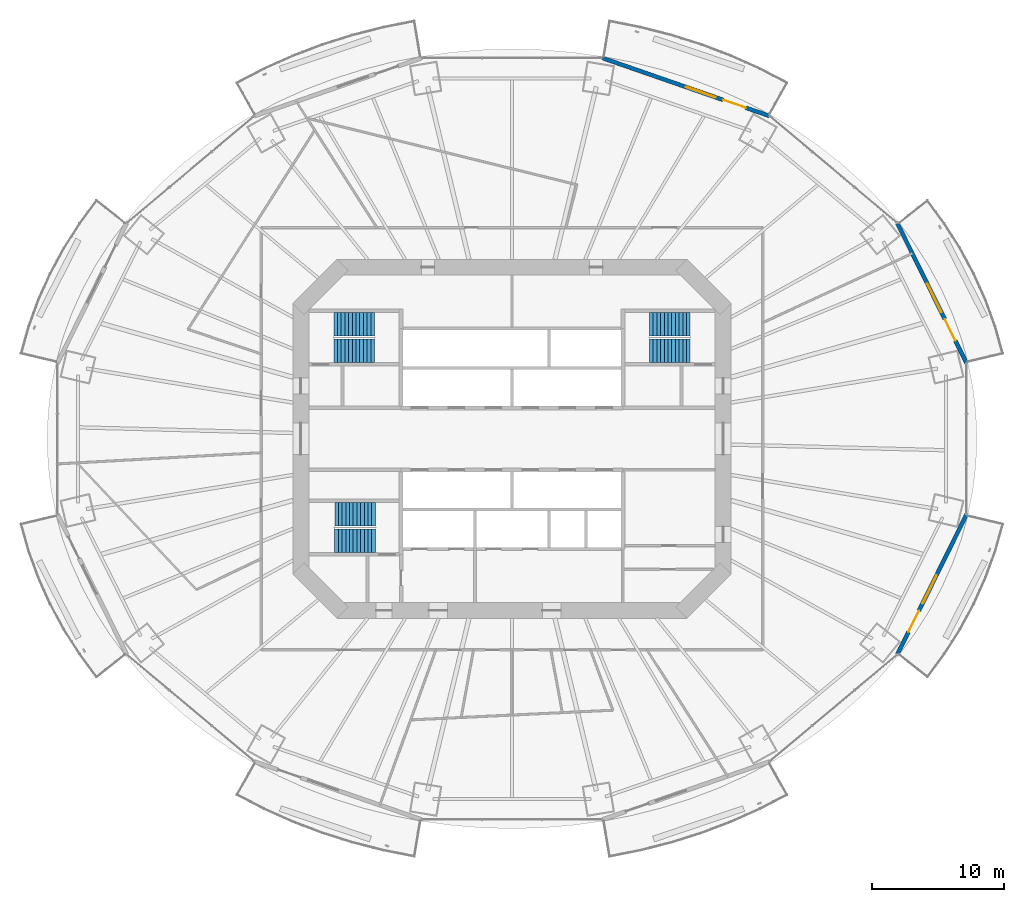
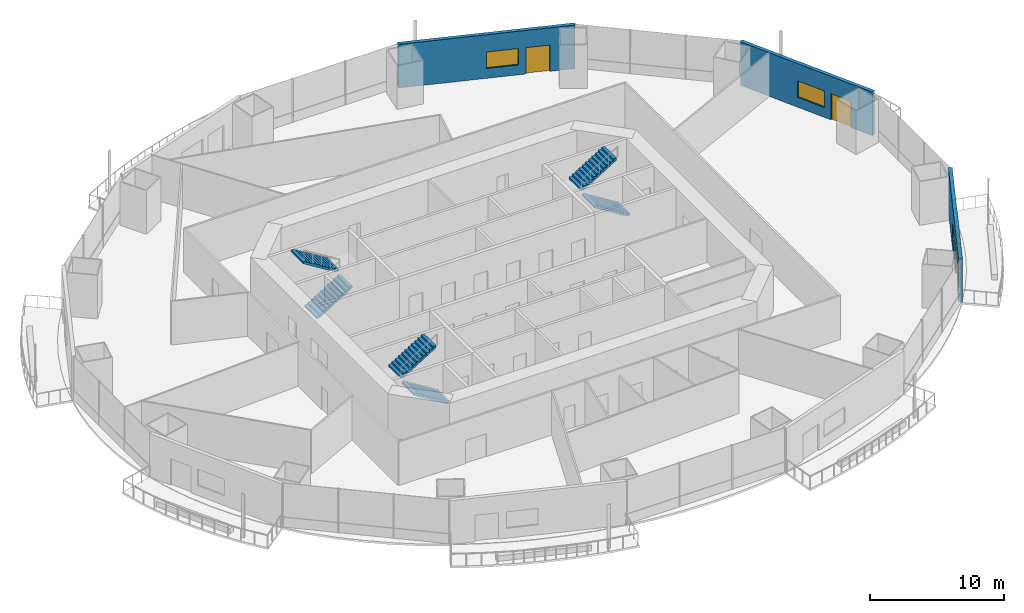
# One storey, part 16 of 22: 6 stair flights, 3 doors, 3 walls, 3 windows, 6 openings, 3 elements without a shape of their own.
"""IFC4 building model written with IfcOpenShell, lengths in metres."""

from ifc_helpers import new_model, si_unit, direction, frame, frame_2d, origin, place, context, subcontext, project, spatial, polyline, rectangle, outline, extrude, material, layer, layer_set, type_object, element, fill, aggregate, save


model = new_model("IFC4")

# Units and contexts
model_context = context("Model", 3, precision=1e-05, world=origin(), true_north=direction((0.0, 1.0)))
body_context = subcontext(model_context, "Body", "Model", "MODEL_VIEW")
ifc_project = project(units=[si_unit("LENGTHUNIT", "METRE"), si_unit("AREAUNIT", "SQUARE_METRE"), si_unit("VOLUMEUNIT", "CUBIC_METRE"), si_unit("PLANEANGLEUNIT", "RADIAN"), si_unit("MASSUNIT", "GRAM", prefix="KILO")], contexts=[model_context])

# Site, building, storey
site_placement = place(None, origin())
site = spatial("IfcSite", under=ifc_project, at=site_placement, CompositionType="ELEMENT")
building_placement = place(site_placement, origin())
building = spatial("IfcBuilding", under=site, at=building_placement, Name="Marenthal Gate Tower", CompositionType="ELEMENT")
storey_placement = place(building_placement, frame((0.0, 0.0, 91.10009765625)))
storey = spatial("IfcBuildingStorey", under=building, at=storey_placement, Name="L18", CompositionType="ELEMENT", Elevation=91.10009765625)

# Wall, openings, door, window
ifc_material_1 = material(Name="Terracotta cladding on insulated concrete-block backing", Category="masonry")
ifc_layer = layer(ifc_material_1, 0.300048828125)
ifc_layer_set = layer_set([ifc_layer], Name="Terracotta facade wall 300")
wall_type = type_object("IfcWallType", Name="Terracotta facade wall 300", PredefinedType="SOLIDWALL", material=ifc_layer_set)
wall_1_placement = place(storey_placement, frame((34.436279296875, 5.7392578125, 0.0), z_axis=(0.0, 0.0, 1.0), x_axis=(-0.443180520711, 0.896432387892, 0.0)))
wall_1 = element("IfcWall", 1, at=wall_1_placement, inside=storey, type_object=wall_type, Name="Terracotta facade wall L18 bay 1", PredefinedType="SOLIDWALL", context=body_context, shape_type="SweptSolid", body=[
    extrude(rectangle(XDim=11.82958984375, YDim=0.300048828125, at=frame_2d((5.914794921875, 0.0))), origin(), (0.0, 0.0, 1.0), 3.969970703125),
])
opening_1_placement = place(wall_1_placement, frame((1.89990234375, 0.0, 0.0)))
opening_1 = element("IfcOpeningElement", 2, at=opening_1_placement, cuts=wall_1, Name="Opening BD-L18-01", PredefinedType="OPENING", context=body_context, shape_type="SweptSolid", body=[
    extrude(rectangle(XDim=1.800048828125, YDim=2.39990234375, at=frame_2d((0.89990234375, 1.199951171875))), frame((0.0, 0.16015625, 0.0), z_axis=(0.0, -1.0, 0.0), x_axis=(1.0, 0.0, 0.0)), (0.0, 0.0, 1.0), 0.320068359375),
])
opening_2_placement = place(wall_1_placement, frame((4.300048828125, 0.0, 0.89990234375)))
opening_2 = element("IfcOpeningElement", 3, at=opening_2_placement, cuts=wall_1, Name="Opening WN1-L18-01", PredefinedType="OPENING", context=body_context, shape_type="SweptSolid", body=[
    extrude(rectangle(XDim=2.39990234375, YDim=1.5, at=frame_2d((1.199951171875, 0.75))), frame((0.0, 0.16015625, 0.0), z_axis=(0.0, -1.0, 0.0), x_axis=(1.0, 0.0, 0.0)), (0.0, 0.0, 1.0), 0.320068359375),
])
ifc_material_2 = material(Name="Aluminium and glass", Category="aluminium")
door_type = type_object("IfcDoorType", Name="Balcony door 1800x2400", OperationType="DOUBLE_DOOR_SINGLE_SWING", PredefinedType="DOOR", material=ifc_material_2)
door_1_placement = place(opening_1_placement, origin())
door_1 = element("IfcDoor", 4, at=door_1_placement, inside=storey, type_object=door_type, Name="Balcony door L18 bay 1", OperationType="SINGLE_SWING_LEFT", OverallHeight=2.39990234375, OverallWidth=1.800048828125, PredefinedType="DOOR", context=body_context, shape_type="SweptSolid", body=[
    extrude(rectangle(XDim=1.800048828125, YDim=2.39990234375, at=frame_2d((0.89990234375, 1.199951171875))), frame((0.0, 0.02490234375, 0.0), z_axis=(0.0, -1.0, 0.0), x_axis=(1.0, 0.0, 0.0)), (0.0, 0.0, 1.0), 0.050048828125),
])
fill(opening_1, door_1)
ifc_material_3 = material(Name="Aluminium and glass", Category="aluminium")
window_type = type_object("IfcWindowType", Name="Window 2400x1500", PartitioningType="TRIPLE_PANEL_VERTICAL", PredefinedType="WINDOW", material=ifc_material_3)
window_1_placement = place(opening_2_placement, origin())
window_1 = element("IfcWindow", 5, at=window_1_placement, inside=storey, type_object=window_type, Name="Window L18 bay 1", OverallHeight=1.5, OverallWidth=2.39990234375, PartitioningType="SINGLE_PANEL", PredefinedType="WINDOW", context=body_context, shape_type="SweptSolid", body=[
    extrude(rectangle(XDim=2.39990234375, YDim=1.5, at=frame_2d((1.199951171875, 0.75))), frame((0.0, 0.030029296875, 0.0), z_axis=(0.0, -1.0, 0.0), x_axis=(1.0, 0.0, 0.0)), (0.0, 0.0, 1.0), 0.06005859375),
])
fill(opening_2, window_1)

wall_2_placement = place(storey_placement, frame((19.506591796875, 24.460205078125, 0.0), z_axis=(0.0, 0.0, 1.0), x_axis=(-0.944722748464, 0.327870292241, 0.0)))
wall_2 = element("IfcWall", 6, at=wall_2_placement, inside=storey, type_object=wall_type, Name="Terracotta facade wall L18 bay 3", PredefinedType="SOLIDWALL", context=body_context, shape_type="SweptSolid", body=[
    extrude(rectangle(XDim=13.397216796875, YDim=0.300048828125, at=frame_2d((6.69873046875, 0.0))), origin(), (0.0, 0.0, 1.0), 3.969970703125),
])
opening_3_placement = place(wall_2_placement, frame((1.89990234375, 0.0, 0.0)))
opening_3 = element("IfcOpeningElement", 7, at=opening_3_placement, cuts=wall_2, Name="Opening BD-L18-03", PredefinedType="OPENING", context=body_context, shape_type="SweptSolid", body=[
    extrude(rectangle(XDim=1.800048828125, YDim=2.39990234375, at=frame_2d((0.89990234375, 1.199951171875))), frame((0.0, 0.16015625, 0.0), z_axis=(0.0, -1.0, 0.0), x_axis=(1.0, 0.0, 0.0)), (0.0, 0.0, 1.0), 0.320068359375),
])
opening_4_placement = place(wall_2_placement, frame((4.300048828125, 0.0, 0.89990234375)))
opening_4 = element("IfcOpeningElement", 8, at=opening_4_placement, cuts=wall_2, Name="Opening WN1-L18-03", PredefinedType="OPENING", context=body_context, shape_type="SweptSolid", body=[
    extrude(rectangle(XDim=2.39990234375, YDim=1.5, at=frame_2d((1.199951171875, 0.75))), frame((0.0, 0.16015625, 0.0), z_axis=(0.0, -1.0, 0.0), x_axis=(1.0, 0.0, 0.0)), (0.0, 0.0, 1.0), 0.320068359375),
])
door_2_placement = place(opening_3_placement, origin())
door_2 = element("IfcDoor", 9, at=door_2_placement, inside=storey, type_object=door_type, Name="Balcony door L18 bay 3", OperationType="SINGLE_SWING_LEFT", OverallHeight=2.39990234375, OverallWidth=1.800048828125, PredefinedType="DOOR", context=body_context, shape_type="SweptSolid", body=[
    extrude(rectangle(XDim=1.800048828125, YDim=2.39990234375, at=frame_2d((0.89990234375, 1.199951171875))), frame((0.0, 0.02490234375, 0.0), z_axis=(0.0, -1.0, 0.0), x_axis=(1.0, 0.0, 0.0)), (0.0, 0.0, 1.0), 0.050048828125),
])
fill(opening_3, door_2)
window_2_placement = place(opening_4_placement, origin())
window_2 = element("IfcWindow", 10, at=window_2_placement, inside=storey, type_object=window_type, Name="Window L18 bay 3", OverallHeight=1.5, OverallWidth=2.39990234375, PartitioningType="SINGLE_PANEL", PredefinedType="WINDOW", context=body_context, shape_type="SweptSolid", body=[
    extrude(rectangle(XDim=2.39990234375, YDim=1.5, at=frame_2d((1.199951171875, 0.75))), frame((0.0, 0.030029296875, 0.0), z_axis=(0.0, -1.0, 0.0), x_axis=(1.0, 0.0, 0.0)), (0.0, 0.0, 1.0), 0.06005859375),
])
fill(opening_4, window_2)

wall_3_placement = place(storey_placement, frame((29.193603515625, -16.34375, 0.0), z_axis=(0.0, 0.0, 1.0), x_axis=(0.443197104999, 0.896424188719, 0.0)))
wall_3 = element("IfcWall", 11, at=wall_3_placement, inside=storey, type_object=wall_type, Name="Terracotta facade wall L18 bay 15", PredefinedType="SOLIDWALL", context=body_context, shape_type="SweptSolid", body=[
    extrude(rectangle(XDim=11.829833984375, YDim=0.300048828125, at=frame_2d((5.9150390625, 0.0))), origin(), (0.0, 0.0, 1.0), 3.969970703125),
])
opening_5_placement = place(wall_3_placement, frame((1.89990234375, 0.0, 0.0)))
opening_5 = element("IfcOpeningElement", 12, at=opening_5_placement, cuts=wall_3, Name="Opening BD-L18-15", PredefinedType="OPENING", context=body_context, shape_type="SweptSolid", body=[
    extrude(rectangle(XDim=1.800048828125, YDim=2.39990234375, at=frame_2d((0.89990234375, 1.199951171875))), frame((0.0, 0.16015625, 0.0), z_axis=(0.0, -1.0, 0.0), x_axis=(1.0, 0.0, 0.0)), (0.0, 0.0, 1.0), 0.320068359375),
])
opening_6_placement = place(wall_3_placement, frame((4.300048828125, 0.0, 0.89990234375)))
opening_6 = element("IfcOpeningElement", 13, at=opening_6_placement, cuts=wall_3, Name="Opening WN1-L18-15", PredefinedType="OPENING", context=body_context, shape_type="SweptSolid", body=[
    extrude(rectangle(XDim=2.39990234375, YDim=1.5, at=frame_2d((1.199951171875, 0.75))), frame((0.0, 0.16015625, 0.0), z_axis=(0.0, -1.0, 0.0), x_axis=(1.0, 0.0, 0.0)), (0.0, 0.0, 1.0), 0.320068359375),
])
door_3_placement = place(opening_5_placement, origin())
door_3 = element("IfcDoor", 14, at=door_3_placement, inside=storey, type_object=door_type, Name="Balcony door L18 bay 15", OperationType="SINGLE_SWING_LEFT", OverallHeight=2.39990234375, OverallWidth=1.800048828125, PredefinedType="DOOR", context=body_context, shape_type="SweptSolid", body=[
    extrude(rectangle(XDim=1.800048828125, YDim=2.39990234375, at=frame_2d((0.89990234375, 1.199951171875))), frame((0.0, 0.02490234375, 0.0), z_axis=(0.0, -1.0, 0.0), x_axis=(1.0, 0.0, 0.0)), (0.0, 0.0, 1.0), 0.050048828125),
])
fill(opening_5, door_3)
window_3_placement = place(opening_6_placement, origin())
window_3 = element("IfcWindow", 15, at=window_3_placement, inside=storey, type_object=window_type, Name="Window L18 bay 15", OverallHeight=1.5, OverallWidth=2.39990234375, PartitioningType="SINGLE_PANEL", PredefinedType="WINDOW", context=body_context, shape_type="SweptSolid", body=[
    extrude(rectangle(XDim=2.39990234375, YDim=1.5, at=frame_2d((1.199951171875, 0.75))), frame((0.0, 0.030029296875, 0.0), z_axis=(0.0, -1.0, 0.0), x_axis=(1.0, 0.0, 0.0)), (0.0, 0.0, 1.0), 0.06005859375),
])
fill(opening_6, window_3)

# Stair, stair flights
ifc_material_4 = material(Name="Concrete 40 MPa", Category="concrete")
stair_type = type_object("IfcStairType", Name="Exit stair 1800", PredefinedType="HALF_TURN_STAIR", material=ifc_material_4)
stair_1_placement = place(storey_placement, origin())
stair_1 = element("IfcStair", 16, at=stair_1_placement, inside=storey, type_object=stair_type, Name="Stair ST1", PredefinedType="HALF_TURN_STAIR")
ifc_material_5 = material(Name="Concrete 40 MPa", Category="concrete")
stair_flight_type = type_object("IfcStairFlightType", Name="Stair flight 1800", PredefinedType="STRAIGHT", material=ifc_material_5)
stair_flight_1_placement = place(storey_placement, frame((-13.5, 6.675048828125, 0.0), z_axis=(0.0, 0.0, 1.0), x_axis=(1.0, 0.0, 0.0)))
stair_flight_1 = element("IfcStairFlight", 17, at=stair_flight_1_placement, type_object=stair_flight_type, Name="ST1 flight 1", NumberOfRisers=12, NumberOfTreads=11, PredefinedType="STRAIGHT", RiserHeight=0.172916667, TreadLength=0.28, context=body_context, shape_type="SweptSolid", body=[
    extrude(outline(polyline([(0.0, 0.0), (0.0, 0.1728515625), (0.280029296875, 0.1728515625), (0.280029296875, 0.345947265625), (0.56005859375, 0.345947265625), (0.56005859375, 0.518798828125), (0.840087890625, 0.518798828125), (0.840087890625, 0.691650390625), (1.1201171875, 0.691650390625), (1.1201171875, 0.864501953125), (1.39990234375, 0.864501953125), (1.39990234375, 1.03759765625), (1.679931640625, 1.03759765625), (1.679931640625, 1.21044921875), (1.9599609375, 1.21044921875), (1.9599609375, 1.38330078125), (2.239990234375, 1.38330078125), (2.239990234375, 1.55615234375), (2.52001953125, 1.55615234375), (2.52001953125, 1.729248046875), (2.800048828125, 1.729248046875), (2.800048828125, 1.902099609375), (3.080078125, 1.902099609375), (3.080078125, 2.074951171875), (3.080078125, 1.725830078125), (0.285400390625, 0.0), (0.0, 0.0)])), frame((0.0, 0.89990234375, 0.0), z_axis=(0.0, -1.0, 0.0), x_axis=(1.0, 0.0, 0.0)), (0.0, 0.0, 1.0), 1.800048828125),
])
stair_flight_2_placement = place(storey_placement, frame((-10.419921875, 8.675048828125, 2.074951171875), z_axis=(0.0, 0.0, 1.0), x_axis=(-1.0, 0.0, 0.0)))
stair_flight_2 = element("IfcStairFlight", 18, at=stair_flight_2_placement, type_object=stair_flight_type, Name="ST1 flight 2", NumberOfRisers=12, NumberOfTreads=11, PredefinedType="STRAIGHT", RiserHeight=0.172916667, TreadLength=0.28, context=body_context, shape_type="SweptSolid", body=[
    extrude(outline(polyline([(0.0, 0.0), (0.0, 0.1728515625), (0.280029296875, 0.1728515625), (0.280029296875, 0.345947265625), (0.56005859375, 0.345947265625), (0.56005859375, 0.518798828125), (0.840087890625, 0.518798828125), (0.840087890625, 0.691650390625), (1.1201171875, 0.691650390625), (1.1201171875, 0.864501953125), (1.39990234375, 0.864501953125), (1.39990234375, 1.03759765625), (1.679931640625, 1.03759765625), (1.679931640625, 1.21044921875), (1.9599609375, 1.21044921875), (1.9599609375, 1.38330078125), (2.239990234375, 1.38330078125), (2.239990234375, 1.55615234375), (2.52001953125, 1.55615234375), (2.52001953125, 1.729248046875), (2.800048828125, 1.729248046875), (2.800048828125, 1.902099609375), (3.080078125, 1.902099609375), (3.080078125, 2.074951171875), (3.080078125, 1.725830078125), (0.285400390625, 0.0), (0.0, 0.0)])), frame((0.0, 0.89990234375, 0.0), z_axis=(0.0, -1.0, 0.0), x_axis=(1.0, 0.0, 0.0)), (0.0, 0.0, 1.0), 1.800048828125),
])
aggregate(stair_1, [stair_flight_1, stair_flight_2])

stair_2_placement = place(storey_placement, origin())
stair_2 = element("IfcStair", 19, at=stair_2_placement, inside=storey, type_object=stair_type, Name="Stair ST2", PredefinedType="HALF_TURN_STAIR")
stair_flight_3_placement = place(storey_placement, frame((-10.35009765625, -7.72509765625, 0.0), z_axis=(0.0, 0.0, 1.0), x_axis=(-1.0, 0.0, 0.0)))
stair_flight_3 = element("IfcStairFlight", 20, at=stair_flight_3_placement, type_object=stair_flight_type, Name="ST2 flight 1", NumberOfRisers=12, NumberOfTreads=11, PredefinedType="STRAIGHT", RiserHeight=0.172916667, TreadLength=0.28, context=body_context, shape_type="SweptSolid", body=[
    extrude(outline(polyline([(0.0, 0.0), (0.0, 0.1728515625), (0.280029296875, 0.1728515625), (0.280029296875, 0.345947265625), (0.56005859375, 0.345947265625), (0.56005859375, 0.518798828125), (0.840087890625, 0.518798828125), (0.840087890625, 0.691650390625), (1.1201171875, 0.691650390625), (1.1201171875, 0.864501953125), (1.39990234375, 0.864501953125), (1.39990234375, 1.03759765625), (1.679931640625, 1.03759765625), (1.679931640625, 1.21044921875), (1.9599609375, 1.21044921875), (1.9599609375, 1.38330078125), (2.239990234375, 1.38330078125), (2.239990234375, 1.55615234375), (2.52001953125, 1.55615234375), (2.52001953125, 1.729248046875), (2.800048828125, 1.729248046875), (2.800048828125, 1.902099609375), (3.080078125, 1.902099609375), (3.080078125, 2.074951171875), (3.080078125, 1.725830078125), (0.285400390625, 0.0), (0.0, 0.0)])), frame((0.0, 0.89990234375, 0.0), z_axis=(0.0, -1.0, 0.0), x_axis=(1.0, 0.0, 0.0)), (0.0, 0.0, 1.0), 1.800048828125),
])
stair_flight_4_placement = place(storey_placement, frame((-13.429931640625, -5.72509765625, 2.074951171875), z_axis=(0.0, 0.0, 1.0), x_axis=(1.0, 0.0, 0.0)))
stair_flight_4 = element("IfcStairFlight", 21, at=stair_flight_4_placement, type_object=stair_flight_type, Name="ST2 flight 2", NumberOfRisers=12, NumberOfTreads=11, PredefinedType="STRAIGHT", RiserHeight=0.172916667, TreadLength=0.28, context=body_context, shape_type="SweptSolid", body=[
    extrude(outline(polyline([(0.0, 0.0), (0.0, 0.1728515625), (0.280029296875, 0.1728515625), (0.280029296875, 0.345947265625), (0.56005859375, 0.345947265625), (0.56005859375, 0.518798828125), (0.840087890625, 0.518798828125), (0.840087890625, 0.691650390625), (1.1201171875, 0.691650390625), (1.1201171875, 0.864501953125), (1.39990234375, 0.864501953125), (1.39990234375, 1.03759765625), (1.679931640625, 1.03759765625), (1.679931640625, 1.21044921875), (1.9599609375, 1.21044921875), (1.9599609375, 1.38330078125), (2.239990234375, 1.38330078125), (2.239990234375, 1.55615234375), (2.52001953125, 1.55615234375), (2.52001953125, 1.729248046875), (2.800048828125, 1.729248046875), (2.800048828125, 1.902099609375), (3.080078125, 1.902099609375), (3.080078125, 2.074951171875), (3.080078125, 1.725830078125), (0.285400390625, 0.0), (0.0, 0.0)])), frame((0.0, 0.89990234375, 0.0), z_axis=(0.0, -1.0, 0.0), x_axis=(1.0, 0.0, 0.0)), (0.0, 0.0, 1.0), 1.800048828125),
])
aggregate(stair_2, [stair_flight_3, stair_flight_4])

stair_3_placement = place(storey_placement, origin())
stair_3 = element("IfcStair", 22, at=stair_3_placement, inside=storey, type_object=stair_type, Name="Stair ST3", PredefinedType="HALF_TURN_STAIR")
stair_flight_5_placement = place(storey_placement, frame((13.5, 6.675048828125, 0.0), z_axis=(0.0, 0.0, 1.0), x_axis=(-1.0, 0.0, 0.0)))
stair_flight_5 = element("IfcStairFlight", 23, at=stair_flight_5_placement, type_object=stair_flight_type, Name="ST3 flight 1", NumberOfRisers=12, NumberOfTreads=11, PredefinedType="STRAIGHT", RiserHeight=0.172916667, TreadLength=0.28, context=body_context, shape_type="SweptSolid", body=[
    extrude(outline(polyline([(0.0, 0.0), (0.0, 0.1728515625), (0.280029296875, 0.1728515625), (0.280029296875, 0.345947265625), (0.56005859375, 0.345947265625), (0.56005859375, 0.518798828125), (0.840087890625, 0.518798828125), (0.840087890625, 0.691650390625), (1.1201171875, 0.691650390625), (1.1201171875, 0.864501953125), (1.39990234375, 0.864501953125), (1.39990234375, 1.03759765625), (1.679931640625, 1.03759765625), (1.679931640625, 1.21044921875), (1.9599609375, 1.21044921875), (1.9599609375, 1.38330078125), (2.239990234375, 1.38330078125), (2.239990234375, 1.55615234375), (2.52001953125, 1.55615234375), (2.52001953125, 1.729248046875), (2.800048828125, 1.729248046875), (2.800048828125, 1.902099609375), (3.080078125, 1.902099609375), (3.080078125, 2.074951171875), (3.080078125, 1.725830078125), (0.285400390625, 0.0), (0.0, 0.0)])), frame((0.0, 0.89990234375, 0.0), z_axis=(0.0, -1.0, 0.0), x_axis=(1.0, 0.0, 0.0)), (0.0, 0.0, 1.0), 1.800048828125),
])
stair_flight_6_placement = place(storey_placement, frame((10.419921875, 8.675048828125, 2.074951171875), z_axis=(0.0, 0.0, 1.0), x_axis=(1.0, 0.0, 0.0)))
stair_flight_6 = element("IfcStairFlight", 24, at=stair_flight_6_placement, type_object=stair_flight_type, Name="ST3 flight 2", NumberOfRisers=12, NumberOfTreads=11, PredefinedType="STRAIGHT", RiserHeight=0.172916667, TreadLength=0.28, context=body_context, shape_type="SweptSolid", body=[
    extrude(outline(polyline([(0.0, 0.0), (0.0, 0.1728515625), (0.280029296875, 0.1728515625), (0.280029296875, 0.345947265625), (0.56005859375, 0.345947265625), (0.56005859375, 0.518798828125), (0.840087890625, 0.518798828125), (0.840087890625, 0.691650390625), (1.1201171875, 0.691650390625), (1.1201171875, 0.864501953125), (1.39990234375, 0.864501953125), (1.39990234375, 1.03759765625), (1.679931640625, 1.03759765625), (1.679931640625, 1.21044921875), (1.9599609375, 1.21044921875), (1.9599609375, 1.38330078125), (2.239990234375, 1.38330078125), (2.239990234375, 1.55615234375), (2.52001953125, 1.55615234375), (2.52001953125, 1.729248046875), (2.800048828125, 1.729248046875), (2.800048828125, 1.902099609375), (3.080078125, 1.902099609375), (3.080078125, 2.074951171875), (3.080078125, 1.725830078125), (0.285400390625, 0.0), (0.0, 0.0)])), frame((0.0, 0.89990234375, 0.0), z_axis=(0.0, -1.0, 0.0), x_axis=(1.0, 0.0, 0.0)), (0.0, 0.0, 1.0), 1.800048828125),
])
aggregate(stair_3, [stair_flight_5, stair_flight_6])

save(model, "model.ifc")
